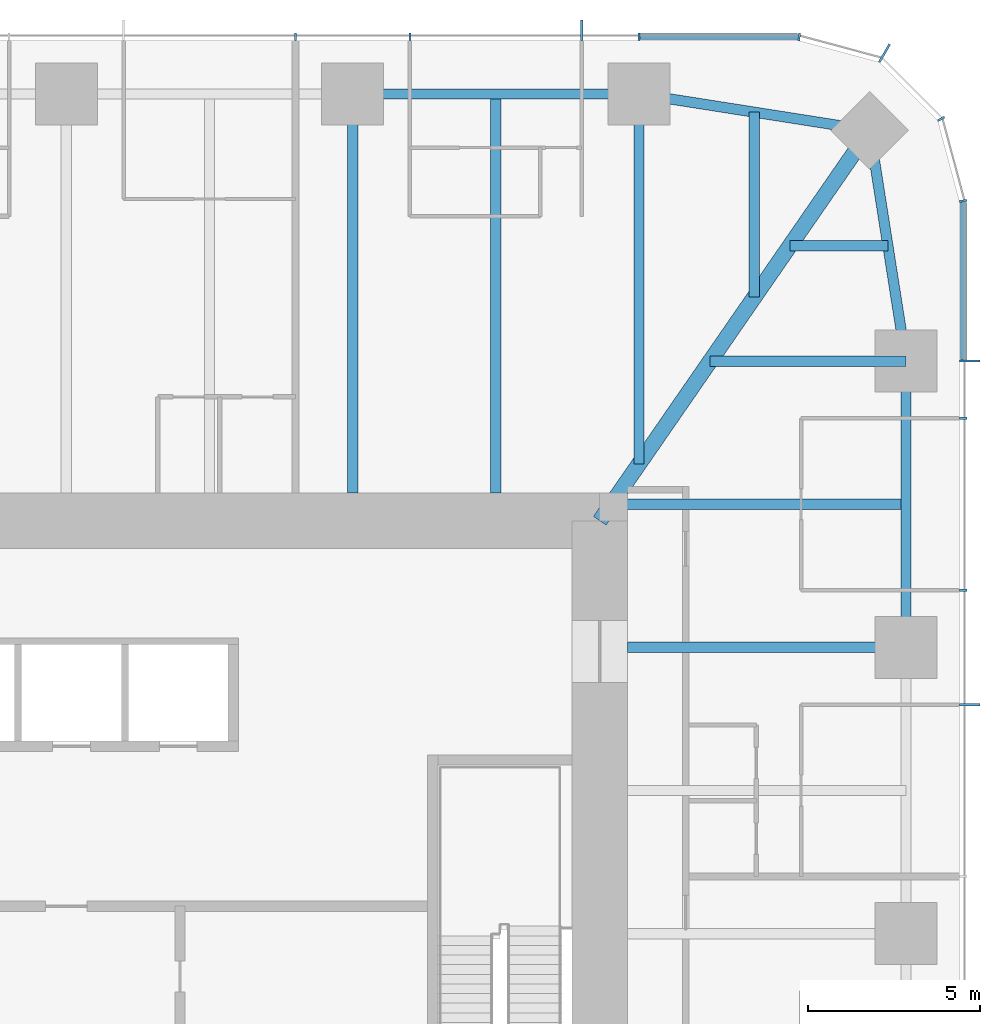
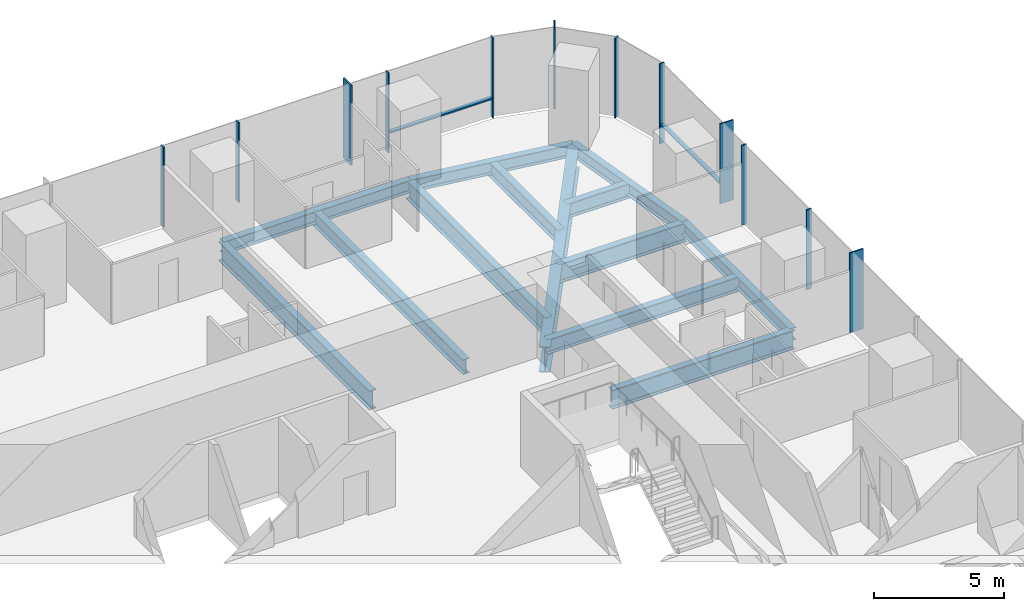
# One storey, part 6 of 12: 14 members, 13 beams, 3 elements without a shape of their own.
"""IFC4 building model written with IfcOpenShell, lengths in metres."""

import ifcopenshell
import ifcopenshell.guid

model = None  # the IFC model being written
_history = None  # IfcOwnerHistory: only IFC2X3 demands one
_inside = {}  # id of a spatial element -> (the spatial element, [elements in it])
_under = {}  # id of a project, library or spatial element -> (it, [spatial elements below it])
_declared = {}  # id of a project -> (the project, [libraries it declares])
_typed = {}  # id of a type object -> (the type object, [elements of that type])
_made_of = {}  # id of a material, layer set ... -> (it, [elements and type objects made of it])


def new_model(schema):
    """Start an empty IFC model of exactly this schema.

    Asked for "IFC4X3", IfcOpenShell would pick the latest addendum, in which some entities
    have other attributes; the version numbers below select the first issue.
    IFC2X3 requires an IfcOwnerHistory on every rooted entity: one is made here for all.
    """
    global model, _history
    if schema == "IFC4X3":
        model = ifcopenshell.file(schema_version=(4, 3, 0, 0))
    else:
        model = ifcopenshell.file(schema=schema)
    _inside.clear()
    _under.clear()
    _declared.clear()
    _typed.clear()
    _made_of.clear()
    _history = None
    if model.schema == "IFC2X3":
        org = make("IfcOrganization", Name="unknown")
        user = make(
            "IfcPersonAndOrganization",
            ThePerson=make("IfcPerson", FamilyName="unknown"),
            TheOrganization=org,
        )
        app = make(
            "IfcApplication",
            ApplicationDeveloper=org,
            Version="unknown",
            ApplicationFullName="unknown",
            ApplicationIdentifier="unknown",
        )
        _history = make(
            "IfcOwnerHistory",
            OwningUser=user,
            OwningApplication=app,
            ChangeAction="ADDED",
            CreationDate=0,
        )
    return model


def make(cls, **values):
    """One entity of the class cls with the attributes given. An attribute that is None is left unset."""
    return model.create_entity(
        cls, **{name: value for name, value in values.items() if value is not None}
    )


def rooted(cls, **values):
    """An entity with a GlobalId (a new one), such as an element, a storey or a relation."""
    return make(cls, GlobalId=ifcopenshell.guid.new(), OwnerHistory=_history, **values)


def si_unit(unit_type, name, prefix=None):
    """IfcSIUnit, for example si_unit("LENGTHUNIT", "METRE", prefix="MILLI")."""
    return make("IfcSIUnit", UnitType=unit_type, Prefix=prefix, Name=name)


def assignment(units):
    """IfcUnitAssignment: the units of a project."""
    return None if units is None else make("IfcUnitAssignment", Units=units)


def point(xyz):
    """IfcCartesianPoint."""
    return None if xyz is None else make("IfcCartesianPoint", Coordinates=xyz)


def direction(xyz):
    """IfcDirection."""
    return None if xyz is None else make("IfcDirection", DirectionRatios=xyz)


def frame(location, z_axis=None, x_axis=None):
    """IfcAxis2Placement3D, a coordinate frame: its origin and axes. An axis left out is left unset."""
    return make(
        "IfcAxis2Placement3D",
        Location=point(location),
        Axis=direction(z_axis),
        RefDirection=direction(x_axis),
    )


def frame_2d(location, x_axis=None):
    """IfcAxis2Placement2D, a coordinate frame in the plane: its origin and x axis."""
    return make(
        "IfcAxis2Placement2D", Location=point(location), RefDirection=direction(x_axis)
    )


def origin():
    """The frame at (0, 0, 0) with its axes left unset."""
    return frame((0.0, 0.0, 0.0))


def origin_2d():
    """The frame at (0, 0) in the plane with its x axis left unset."""
    return frame_2d((0.0, 0.0))


def place(relative_to, where):
    """IfcLocalPlacement: puts the frame where relative to a parent placement (None: the world)."""
    return make(
        "IfcLocalPlacement", PlacementRelTo=relative_to, RelativePlacement=where
    )


def context(
    kind, dimensions, precision=None, world=None, true_north=None, identifier=None
):
    """IfcGeometricRepresentationContext, for example the 3D "Model" context."""
    return make(
        "IfcGeometricRepresentationContext",
        ContextIdentifier=identifier,
        ContextType=kind,
        CoordinateSpaceDimension=dimensions,
        Precision=precision,
        WorldCoordinateSystem=world,
        TrueNorth=true_north,
    )


def subcontext(parent, identifier, kind, view, scale=None):
    """IfcGeometricRepresentationSubContext, for example "Body" below "Model"."""
    return make(
        "IfcGeometricRepresentationSubContext",
        ContextIdentifier=identifier,
        ContextType=kind,
        ParentContext=parent,
        TargetScale=scale,
        TargetView=view,
    )


def project(units=None, contexts=None):
    """IfcProject with its units and contexts."""
    return rooted(
        "IfcProject",
        Name="project",
        RepresentationContexts=contexts,
        UnitsInContext=assignment(units),
    )


def spatial(cls, under=None, at=None, **own):
    """A site, building, storey or space (cls), placed at a placement, below another one or the project."""
    s = rooted(cls, ObjectPlacement=at, **own)
    if under is not None:
        _under.setdefault(under.id(), (under, []))[1].append(s)
    return s


def profile(cls, at=None, kind="AREA", **sizes):
    """A parametric profile (cls). Its sizes go by their IFC names, for example OverallWidth=200.0."""
    return make(cls, ProfileType=kind, Position=at, **sizes)


def rectangle(**sizes):
    """IfcRectangleProfileDef."""
    return profile("IfcRectangleProfileDef", **sizes)


def i_section(**sizes):
    """IfcIShapeProfileDef."""
    return profile("IfcIShapeProfileDef", **sizes)


def extrude(swept, where, along, depth):
    """IfcExtrudedAreaSolid: the profile swept, set in the frame where, extruded along a direction by depth."""
    return make(
        "IfcExtrudedAreaSolid",
        SweptArea=swept,
        Position=where,
        ExtrudedDirection=direction(along),
        Depth=depth,
    )


def shape(context_of_items, identifier, shape_type, items):
    """IfcShapeRepresentation: the items that make up one representation, for example the "Body"."""
    return make(
        "IfcShapeRepresentation",
        ContextOfItems=context_of_items,
        RepresentationIdentifier=identifier,
        RepresentationType=shape_type,
        Items=items,
    )


def material(Name=None, Category=None):
    """IfcMaterial."""
    return make("IfcMaterial", Name=Name, Category=Category)


def material_profile(
    of_material, cross_section, Name=None, Category=None, Priority=None
):
    """IfcMaterialProfile: a cross section and its material."""
    return make(
        "IfcMaterialProfile",
        Name=Name,
        Material=of_material,
        Profile=cross_section,
        Priority=Priority,
        Category=Category,
    )


def profile_set(profiles, Name=None, composite=None):
    """IfcMaterialProfileSet."""
    return make(
        "IfcMaterialProfileSet",
        Name=Name,
        MaterialProfiles=profiles,
        CompositeProfile=composite,
    )


def made_of(thing, what):
    """Note that an element or type object is made of a material, layer set ...; save() writes the relation."""
    if what is not None:
        _made_of.setdefault(what.id(), (what, []))[1].append(thing)
    return thing


def type_object(cls, material=None, **own):
    """A type object (cls), such as IfcWallType, which elements share."""
    return made_of(rooted(cls, **own), material)


def element(
    cls,
    number,
    at=None,
    inside=None,
    cuts=None,
    type_object=None,
    material=None,
    context=None,
    identifier="Body",
    shape_type=None,
    held_by="IfcProductDefinitionShape",
    body=None,
    shapes=None,
    **own,
):
    """One element of the class cls, such as IfcWall. Its Tag is "e" and its number.

    at: its placement. inside: the storey or other place that contains it. cuts: it is an
    opening in that element (IfcRelVoidsElement). A single representation is given by context,
    identifier, shape_type and body (its items); several are given by shapes. held_by: the class
    of the entity that holds the representations. save() writes the other relations.
    """
    e = rooted(cls, Tag="e%d" % number, ObjectPlacement=at, **own)
    if body is not None:
        shapes = [shape(context, identifier, shape_type, body)]
    if shapes is not None:
        e.Representation = make(held_by, Representations=shapes)
    if inside is not None:
        _inside.setdefault(inside.id(), (inside, []))[1].append(e)
    if cuts is not None:
        rooted(
            "IfcRelVoidsElement", RelatingBuildingElement=cuts, RelatedOpeningElement=e
        )
    if type_object is not None:
        _typed.setdefault(type_object.id(), (type_object, []))[1].append(e)
    return made_of(e, material)


def aggregate(whole, parts):
    """IfcRelAggregates: a whole, such as a stair, and the parts it consists of."""
    return rooted("IfcRelAggregates", RelatingObject=whole, RelatedObjects=parts)


def save(model, path):
    """Write the relations noted so far, then the file.

    IfcRelAggregates (storeys below a building ...), IfcRelContainedInSpatialStructure (elements
    in a storey), IfcRelDefinesByType, IfcRelAssociatesMaterial and IfcRelDeclares: one each for
    every whole, place, type object, material and project.
    """
    for whole, parts in _under.values():
        aggregate(whole, parts)
    for where, things in _inside.values():
        rooted(
            "IfcRelContainedInSpatialStructure",
            RelatedElements=things,
            RelatingStructure=where,
        )
    for kind, things in _typed.values():
        rooted("IfcRelDefinesByType", RelatedObjects=things, RelatingType=kind)
    for what, things in _made_of.values():
        rooted("IfcRelAssociatesMaterial", RelatedObjects=things, RelatingMaterial=what)
    for by, libraries in _declared.values():
        rooted("IfcRelDeclares", RelatingContext=by, RelatedDefinitions=libraries)
    model.write(path)


model = new_model("IFC4")

# Units and contexts
model_context = context("Model", 3, precision=1e-05, world=origin(), true_north=direction((0.0, 1.0)))
body_context = subcontext(model_context, "Body", "Model", "MODEL_VIEW")
ifc_project = project(units=[si_unit("LENGTHUNIT", "METRE"), si_unit("AREAUNIT", "SQUARE_METRE"), si_unit("VOLUMEUNIT", "CUBIC_METRE"), si_unit("PLANEANGLEUNIT", "RADIAN"), si_unit("MASSUNIT", "GRAM", prefix="KILO")], contexts=[model_context])

# Site, building, storey
site_placement = place(None, origin())
site = spatial("IfcSite", under=ifc_project, at=site_placement, CompositionType="ELEMENT")
building_placement = place(site_placement, origin())
building = spatial("IfcBuilding", under=site, at=building_placement, Name="Khuree Lantern Residences", CompositionType="ELEMENT")
storey_placement = place(building_placement, frame((0.0, 0.0, 237.0)))
storey = spatial("IfcBuildingStorey", under=building, at=storey_placement, Name="L59", CompositionType="ELEMENT", Elevation=237.0)

# Beams
ifc_material_1 = material(Name="Steel S355", Category="steel")
ifc_material_profile_1 = material_profile(ifc_material_1, i_section(OverallWidth=0.300048828125, OverallDepth=0.68994140625, WebThickness=0.014404296875, FlangeThickness=0.027099609375, FilletRadius=0.027099609375, at=origin_2d()), Name="HE 700 A")
ifc_profile_set_1 = profile_set([ifc_material_profile_1], Name="Steel S355")
beam_type_1 = type_object("IfcBeamType", Name="B-33 SECONDARY BEAM HE 700 A", PredefinedType="BEAM", material=ifc_profile_set_1)
beam_1_placement = place(storey_placement, frame((12.47998046875, 24.39990234375, -0.594970703125), z_axis=(0.0, -1.0, 0.0), x_axis=(1.0, 0.0, 0.0)))
element("IfcBeam", 1, at=beam_1_placement, inside=storey, type_object=beam_type_1, Name="Secondary beam N4", PredefinedType="BEAM", context=body_context, shape_type="SweptSolid", body=[
    extrude(i_section(OverallWidth=0.300048828125, OverallDepth=0.68994140625, WebThickness=0.014404296875, FlangeThickness=0.027099609375, FilletRadius=0.027099609375, at=origin_2d()), origin(), (0.0, 0.0, 1.0), 11.599853515625),
])
beam_2_placement = place(storey_placement, frame((19.992919921875, 23.872802734375, -0.594970703125), z_axis=(0.0, -1.0, 0.0), x_axis=(1.0, 0.0, 0.0)))
element("IfcBeam", 2, at=beam_2_placement, inside=storey, type_object=beam_type_1, Name="Secondary beam N5", PredefinedType="BEAM", context=body_context, shape_type="SweptSolid", body=[
    extrude(i_section(OverallWidth=0.300048828125, OverallDepth=0.68994140625, WebThickness=0.014404296875, FlangeThickness=0.027099609375, FilletRadius=0.027099609375, at=origin_2d()), origin(), (0.0, 0.0, 1.0), 5.375732421875),
])
beam_3_placement = place(storey_placement, frame((23.872802734375, 19.992919921875, -0.594970703125), z_axis=(-1.0, 0.0, 0.0), x_axis=(0.0, -1.0, 0.0)))
element("IfcBeam", 3, at=beam_3_placement, inside=storey, type_object=beam_type_1, Name="Secondary beam E1", PredefinedType="BEAM", context=body_context, shape_type="SweptSolid", body=[
    extrude(i_section(OverallWidth=0.300048828125, OverallDepth=0.68994140625, WebThickness=0.014404296875, FlangeThickness=0.027099609375, FilletRadius=0.027099609375, at=origin_2d()), origin(), (0.0, 0.0, 1.0), 2.845703125),
])
beam_4_placement = place(storey_placement, frame((24.39990234375, 12.47998046875, -0.594970703125), z_axis=(-1.0, 0.0, 0.0), x_axis=(0.0, -1.0, 0.0)))
element("IfcBeam", 4, at=beam_4_placement, inside=storey, type_object=beam_type_1, Name="Secondary beam E2", PredefinedType="BEAM", context=body_context, shape_type="SweptSolid", body=[
    extrude(i_section(OverallWidth=0.300048828125, OverallDepth=0.68994140625, WebThickness=0.014404296875, FlangeThickness=0.027099609375, FilletRadius=0.027099609375, at=origin_2d()), origin(), (0.0, 0.0, 1.0), 8.56787109375),
])
ifc_material_profile_2 = material_profile(ifc_material_1, i_section(OverallWidth=0.300048828125, OverallDepth=0.590087890625, WebThickness=0.012939453125, FlangeThickness=0.02490234375, FilletRadius=0.027099609375, at=origin_2d()), Name="HE 600 A")
ifc_profile_set_2 = profile_set([ifc_material_profile_2], Name="Steel S355")
beam_type_2 = type_object("IfcBeamType", Name="E-33 SPANDREL BEAM HE 600 A", PredefinedType="SPANDREL", material=ifc_profile_set_2)
beam_5_placement = place(storey_placement, frame((8.320068359375, 24.39990234375, -0.544921875), z_axis=(1.0, 0.0, 0.0), x_axis=(0.0, 1.0, 0.0)))
element("IfcBeam", 5, at=beam_5_placement, inside=storey, type_object=beam_type_2, Name="Spandrel beam N4", PredefinedType="SPANDREL", context=body_context, shape_type="SweptSolid", body=[
    extrude(i_section(OverallWidth=0.300048828125, OverallDepth=0.590087890625, WebThickness=0.012939453125, FlangeThickness=0.02490234375, FilletRadius=0.027099609375, at=origin_2d()), origin(), (0.0, 0.0, 1.0), 8.31982421875),
])
for number, where, z_axis, x_axis, name in (
    (6, (16.639892578125, 24.39990234375, -0.544921875), (0.98786743189, -0.155299507442, 0.0), (0.155299507442, 0.98786743189, 0.0), "Spandrel beam N5"),
    (7, (23.345703125, 23.345703125, -0.544921875), (0.155299507442, -0.98786743189, 0.0), (0.98786743189, 0.155299507442, 0.0), "Spandrel beam E1"),
):
    element("IfcBeam", number, at=place(storey_placement, frame(where, z_axis=z_axis, x_axis=x_axis)), inside=storey, type_object=beam_type_2, Name=name, PredefinedType="SPANDREL", context=body_context, shape_type="SweptSolid", body=[
        extrude(i_section(OverallWidth=0.300048828125, OverallDepth=0.590087890625, WebThickness=0.012939453125, FlangeThickness=0.02490234375, FilletRadius=0.027099609375, at=origin_2d()), origin(), (0.0, 0.0, 1.0), 6.7880859375),
    ])
beam_6_placement = place(storey_placement, frame((24.39990234375, 16.639892578125, -0.544921875), z_axis=(0.0, -1.0, 0.0), x_axis=(1.0, 0.0, 0.0)))
element("IfcBeam", 8, at=beam_6_placement, inside=storey, type_object=beam_type_2, Name="Spandrel beam E2", PredefinedType="SPANDREL", context=body_context, shape_type="SweptSolid", body=[
    extrude(i_section(OverallWidth=0.300048828125, OverallDepth=0.590087890625, WebThickness=0.012939453125, FlangeThickness=0.02490234375, FilletRadius=0.027099609375, at=origin_2d()), origin(), (0.0, 0.0, 1.0), 8.31982421875),
])

# Curtain wall, members
ifc_material_2 = material(Name="Bronze anodised aluminium", Category="aluminium")
curtain_wall_type_1 = type_object("IfcCurtainWallType", Name="CW-T1 TOWER FACE CURTAIN WALL", PredefinedType="USERDEFINED", material=ifc_material_2)
curtain_wall_1_placement = place(storey_placement, origin())
curtain_wall_1 = element("IfcCurtainWall", 9, at=curtain_wall_1_placement, inside=storey, type_object=curtain_wall_type_1, Name="L59 EAST FACE CURTAIN WALL", ObjectType="Stick-built curtain wall", PredefinedType="USERDEFINED")
ifc_material_profile_3 = material_profile(ifc_material_2, rectangle(XDim=0.06494140625, YDim=0.60009765625, at=origin_2d()), Name="F1 65X600")
ifc_profile_set_3 = profile_set([ifc_material_profile_3], Name="Bronze anodised aluminium")
member_type_1 = type_object("IfcMemberType", Name="F1 BRONZE FIN MULLION TOWER 65X600", PredefinedType="MULLION", material=ifc_profile_set_3)
member_1_placement = place(storey_placement, frame((26.25, 6.656005859375, 0.0), z_axis=(0.0, 0.0, 1.0), x_axis=(0.0, 1.0, 0.0)))
member_1 = element("IfcMember", 10, at=member_1_placement, type_object=member_type_1, Name="L59 EAST FACE FIN MULLION 11", PredefinedType="MULLION", context=body_context, shape_type="SweptSolid", body=[
    extrude(rectangle(XDim=0.06494140625, YDim=0.60009765625, at=origin_2d()), origin(), (0.0, 0.0, 1.0), 3.75),
])
member_2_placement = place(storey_placement, frame((26.25, 16.639892578125, 0.0), z_axis=(0.0, 0.0, 1.0), x_axis=(0.0, 1.0, 0.0)))
member_2 = element("IfcMember", 11, at=member_2_placement, type_object=member_type_1, Name="L59 EAST FACE FIN MULLION 14", PredefinedType="MULLION", context=body_context, shape_type="SweptSolid", body=[
    extrude(rectangle(XDim=0.06494140625, YDim=0.60009765625, at=origin_2d()), origin(), (0.0, 0.0, 1.0), 3.75),
])

# Curtain wall, member
curtain_wall_type_2 = type_object("IfcCurtainWallType", Name="CW-T2 TOWER CORNER CURTAIN WALL", PredefinedType="USERDEFINED", material=ifc_material_2)
curtain_wall_2_placement = place(storey_placement, origin())
curtain_wall_2 = element("IfcCurtainWall", 12, at=curtain_wall_2_placement, inside=storey, type_object=curtain_wall_type_2, Name="L59 NORTH-EAST CORNER CURTAIN WALL", ObjectType="Faceted corner curtain wall", PredefinedType="USERDEFINED")
member_3_placement = place(storey_placement, frame((23.77490234375, 25.5869140625, 0.0), z_axis=(0.0, 0.0, 1.0), x_axis=(-0.866025409797, 0.499999989586, 0.0)))
member_3 = element("IfcMember", 13, at=member_3_placement, type_object=member_type_1, Name="L59 NORTH-EAST CORNER FIN MULLION 17", PredefinedType="MULLION", context=body_context, shape_type="SweptSolid", body=[
    extrude(rectangle(XDim=0.06494140625, YDim=0.60009765625, at=origin_2d()), origin(), (0.0, 0.0, 1.0), 3.75),
])

curtain_wall_3_placement = place(storey_placement, origin())
curtain_wall_3 = element("IfcCurtainWall", 14, at=curtain_wall_3_placement, inside=storey, type_object=curtain_wall_type_1, Name="L59 NORTH FACE CURTAIN WALL", ObjectType="Stick-built curtain wall", PredefinedType="USERDEFINED")
member_4_placement = place(storey_placement, frame((14.97607421875, 26.25, 0.0), z_axis=(0.0, 0.0, 1.0), x_axis=(-1.0, 0.0, 0.0)))
member_4 = element("IfcMember", 15, at=member_4_placement, type_object=member_type_1, Name="L59 NORTH FACE FIN MULLION 20", PredefinedType="MULLION", context=body_context, shape_type="SweptSolid", body=[
    extrude(rectangle(XDim=0.06494140625, YDim=0.60009765625, at=origin_2d()), origin(), (0.0, 0.0, 1.0), 3.75),
])

# Beams
ifc_material_profile_4 = material_profile(ifc_material_1, i_section(OverallWidth=0.300048828125, OverallDepth=0.89990234375, WebThickness=0.0185546875, FlangeThickness=0.034912109375, FilletRadius=0.030029296875, at=origin_2d()), Name="HE 900 B")
ifc_profile_set_4 = profile_set([ifc_material_profile_4], Name="Steel S355")
beam_type_3 = type_object("IfcBeamType", Name="G-33 GIRDER HE 900 B", PredefinedType="BEAM", material=ifc_profile_set_4)
beam_7_placement = place(storey_placement, frame((8.320068359375, 24.39990234375, -0.699951171875), z_axis=(0.0, -1.0, 0.0), x_axis=(1.0, 0.0, 0.0)))
element("IfcBeam", 16, at=beam_7_placement, inside=storey, type_object=beam_type_3, Name="Girder N4", PredefinedType="BEAM", context=body_context, shape_type="SweptSolid", body=[
    extrude(i_section(OverallWidth=0.300048828125, OverallDepth=0.89990234375, WebThickness=0.0185546875, FlangeThickness=0.034912109375, FilletRadius=0.030029296875, at=origin_2d()), origin(), (0.0, 0.0, 1.0), 11.599853515625),
])
beam_8_placement = place(storey_placement, frame((16.639892578125, 24.39990234375, -0.699951171875), z_axis=(0.0, -1.0, 0.0), x_axis=(1.0, 0.0, 0.0)))
element("IfcBeam", 17, at=beam_8_placement, inside=storey, type_object=beam_type_3, Name="Girder N5", PredefinedType="BEAM", context=body_context, shape_type="SweptSolid", body=[
    extrude(i_section(OverallWidth=0.300048828125, OverallDepth=0.89990234375, WebThickness=0.0185546875, FlangeThickness=0.034912109375, FilletRadius=0.030029296875, at=origin_2d()), origin(), (0.0, 0.0, 1.0), 10.751220703125),
])
beam_9_placement = place(storey_placement, frame((24.39990234375, 16.639892578125, -0.699951171875), z_axis=(-1.0, 0.0, 0.0), x_axis=(0.0, -1.0, 0.0)))
element("IfcBeam", 18, at=beam_9_placement, inside=storey, type_object=beam_type_3, Name="Girder E1", PredefinedType="BEAM", context=body_context, shape_type="SweptSolid", body=[
    extrude(i_section(OverallWidth=0.300048828125, OverallDepth=0.89990234375, WebThickness=0.0185546875, FlangeThickness=0.034912109375, FilletRadius=0.030029296875, at=origin_2d()), origin(), (0.0, 0.0, 1.0), 5.69140625),
])
beam_10_placement = place(storey_placement, frame((24.39990234375, 8.320068359375, -0.699951171875), z_axis=(-1.0, 0.0, 0.0), x_axis=(0.0, -1.0, 0.0)))
element("IfcBeam", 19, at=beam_10_placement, inside=storey, type_object=beam_type_3, Name="Girder E2", PredefinedType="BEAM", context=body_context, shape_type="SweptSolid", body=[
    extrude(i_section(OverallWidth=0.300048828125, OverallDepth=0.89990234375, WebThickness=0.0185546875, FlangeThickness=0.034912109375, FilletRadius=0.030029296875, at=origin_2d()), origin(), (0.0, 0.0, 1.0), 8.099853515625),
])
ifc_material_profile_5 = material_profile(ifc_material_1, i_section(OverallWidth=0.449951171875, OverallDepth=1.199951171875, WebThickness=0.02490234375, FlangeThickness=0.044921875, at=origin_2d()), Name="WELDED I 1200X450X25X45")
ifc_profile_set_5 = profile_set([ifc_material_profile_5], Name="Steel S355")
beam_type_4 = type_object("IfcBeamType", Name="GD-33 CORNER GIRDER WELDED I 1200X450X25X45", PredefinedType="BEAM", material=ifc_profile_set_5)
beam_11_placement = place(storey_placement, frame((23.345703125, 23.345703125, -0.85009765625), z_axis=(-0.56876813501, -0.822497907959, 0.0), x_axis=(0.822497907959, -0.56876813501, 0.0)))
element("IfcBeam", 20, at=beam_11_placement, inside=storey, type_object=beam_type_4, Name="Corner girder NE", PredefinedType="BEAM", context=body_context, shape_type="SweptSolid", body=[
    extrude(i_section(OverallWidth=0.449951171875, OverallDepth=1.199951171875, WebThickness=0.02490234375, FlangeThickness=0.044921875, at=origin_2d()), origin(), (0.0, 0.0, 1.0), 13.794189453125),
])

# Member
ifc_material_profile_6 = material_profile(ifc_material_2, rectangle(XDim=0.06494140625, YDim=0.219970703125, at=origin_2d()), Name="M1 65X220")
ifc_profile_set_6 = profile_set([ifc_material_profile_6], Name="Bronze anodised aluminium")
member_type_2 = type_object("IfcMemberType", Name="M1 BRONZE MULLION TOWER 65X220", PredefinedType="MULLION", material=ifc_profile_set_6)
member_5_placement = place(storey_placement, frame((26.06005859375, 9.98388671875, 0.0), z_axis=(0.0, 0.0, 1.0), x_axis=(0.0, 1.0, 0.0)))
member_5 = element("IfcMember", 21, at=member_5_placement, type_object=member_type_2, Name="L59 EAST FACE MULLION 12", PredefinedType="MULLION", context=body_context, shape_type="SweptSolid", body=[
    extrude(rectangle(XDim=0.06494140625, YDim=0.219970703125, at=origin_2d()), origin(), (0.0, 0.0, 1.0), 3.75),
])

member_6_placement = place(storey_placement, frame((26.06005859375, 14.97607421875, 0.0), z_axis=(0.0, 0.0, 1.0), x_axis=(0.0, 1.0, 0.0)))
member_6 = element("IfcMember", 22, at=member_6_placement, type_object=member_type_2, Name="L59 EAST FACE MULLION 13", PredefinedType="MULLION", context=body_context, shape_type="SweptSolid", body=[
    extrude(rectangle(XDim=0.06494140625, YDim=0.219970703125, at=origin_2d()), origin(), (0.0, 0.0, 1.0), 3.75),
])

member_7_placement = place(storey_placement, frame((26.061767578125, 21.294921875, 0.0), z_axis=(0.0, 0.0, 1.0), x_axis=(-0.130526180298, 0.991444862943, 0.0)))
member_7 = element("IfcMember", 23, at=member_7_placement, type_object=member_type_2, Name="L59 NORTH-EAST CORNER MULLION 15", PredefinedType="MULLION", context=body_context, shape_type="SweptSolid", body=[
    extrude(rectangle(XDim=0.06494140625, YDim=0.219970703125, at=origin_2d()), origin(), (0.0, 0.0, 1.0), 3.75),
])

member_8_placement = place(storey_placement, frame((25.42236328125, 23.679931640625, 0.0), z_axis=(0.0, 0.0, 1.0), x_axis=(-0.499999989586, 0.866025409797, 0.0)))
member_8 = element("IfcMember", 24, at=member_8_placement, type_object=member_type_2, Name="L59 NORTH-EAST CORNER MULLION 16", PredefinedType="MULLION", context=body_context, shape_type="SweptSolid", body=[
    extrude(rectangle(XDim=0.06494140625, YDim=0.219970703125, at=origin_2d()), origin(), (0.0, 0.0, 1.0), 3.75),
])

aggregate(curtain_wall_2, [member_7, member_8, member_3])

member_9_placement = place(storey_placement, frame((21.294921875, 26.061767578125, 0.0), z_axis=(0.0, 0.0, 1.0), x_axis=(-0.991444862943, 0.130526180298, 0.0)))
member_9 = element("IfcMember", 25, at=member_9_placement, type_object=member_type_2, Name="L59 NORTH FACE MULLION 18", PredefinedType="MULLION", context=body_context, shape_type="SweptSolid", body=[
    extrude(rectangle(XDim=0.06494140625, YDim=0.219970703125, at=origin_2d()), origin(), (0.0, 0.0, 1.0), 3.75),
])

member_10_placement = place(storey_placement, frame((16.639892578125, 26.06005859375, 0.0), z_axis=(0.0, 0.0, 1.0), x_axis=(-1.0, 0.0, 0.0)))
member_10 = element("IfcMember", 26, at=member_10_placement, type_object=member_type_2, Name="L59 NORTH FACE MULLION 19", PredefinedType="MULLION", context=body_context, shape_type="SweptSolid", body=[
    extrude(rectangle(XDim=0.06494140625, YDim=0.219970703125, at=origin_2d()), origin(), (0.0, 0.0, 1.0), 3.75),
])

member_11_placement = place(storey_placement, frame((9.98388671875, 26.06005859375, 0.0), z_axis=(0.0, 0.0, 1.0), x_axis=(-1.0, 0.0, 0.0)))
member_11 = element("IfcMember", 27, at=member_11_placement, type_object=member_type_2, Name="L59 NORTH FACE MULLION 21", PredefinedType="MULLION", context=body_context, shape_type="SweptSolid", body=[
    extrude(rectangle(XDim=0.06494140625, YDim=0.219970703125, at=origin_2d()), origin(), (0.0, 0.0, 1.0), 3.75),
])

member_12_placement = place(storey_placement, frame((6.656005859375, 26.06005859375, 0.0), z_axis=(0.0, 0.0, 1.0), x_axis=(-1.0, 0.0, 0.0)))
member_12 = element("IfcMember", 28, at=member_12_placement, type_object=member_type_2, Name="L59 NORTH FACE MULLION 22", PredefinedType="MULLION", context=body_context, shape_type="SweptSolid", body=[
    extrude(rectangle(XDim=0.06494140625, YDim=0.219970703125, at=origin_2d()), origin(), (0.0, 0.0, 1.0), 3.75),
])

ifc_material_profile_7 = material_profile(ifc_material_2, rectangle(XDim=0.179931640625, YDim=0.06494140625, at=origin_2d()), Name="T1 180X65")
ifc_profile_set_7 = profile_set([ifc_material_profile_7], Name="Bronze anodised aluminium")
member_type_3 = type_object("IfcMemberType", Name="TRANSOM T1 TOWER 180X65", PredefinedType="USERDEFINED", material=ifc_profile_set_7)
member_13_placement = place(storey_placement, frame((26.070068359375, 16.672607421875, 0.89990234375), z_axis=(0.0, 1.0, 0.0), x_axis=(-1.0, 0.0, 0.0)))
member_13 = element("IfcMember", 29, at=member_13_placement, type_object=member_type_3, Name="L59 EAST FACE TRANSOM 14.1", ObjectType="Transom", PredefinedType="USERDEFINED", context=body_context, shape_type="SweptSolid", body=[
    extrude(rectangle(XDim=0.179931640625, YDim=0.06494140625, at=origin_2d()), origin(), (0.0, 0.0, 1.0), 4.578857421875),
])

aggregate(curtain_wall_1, [member_1, member_5, member_6, member_2, member_13])

member_14_placement = place(storey_placement, frame((21.25146484375, 26.070068359375, 0.89990234375), z_axis=(-1.0, 0.0, 0.0), x_axis=(0.0, -1.0, 0.0)))
member_14 = element("IfcMember", 30, at=member_14_placement, type_object=member_type_3, Name="L59 NORTH FACE TRANSOM 18.1", ObjectType="Transom", PredefinedType="USERDEFINED", context=body_context, shape_type="SweptSolid", body=[
    extrude(rectangle(XDim=0.179931640625, YDim=0.06494140625, at=origin_2d()), origin(), (0.0, 0.0, 1.0), 4.578857421875),
])

aggregate(curtain_wall_3, [member_9, member_10, member_4, member_11, member_12, member_14])

save(model, "model.ifc")
